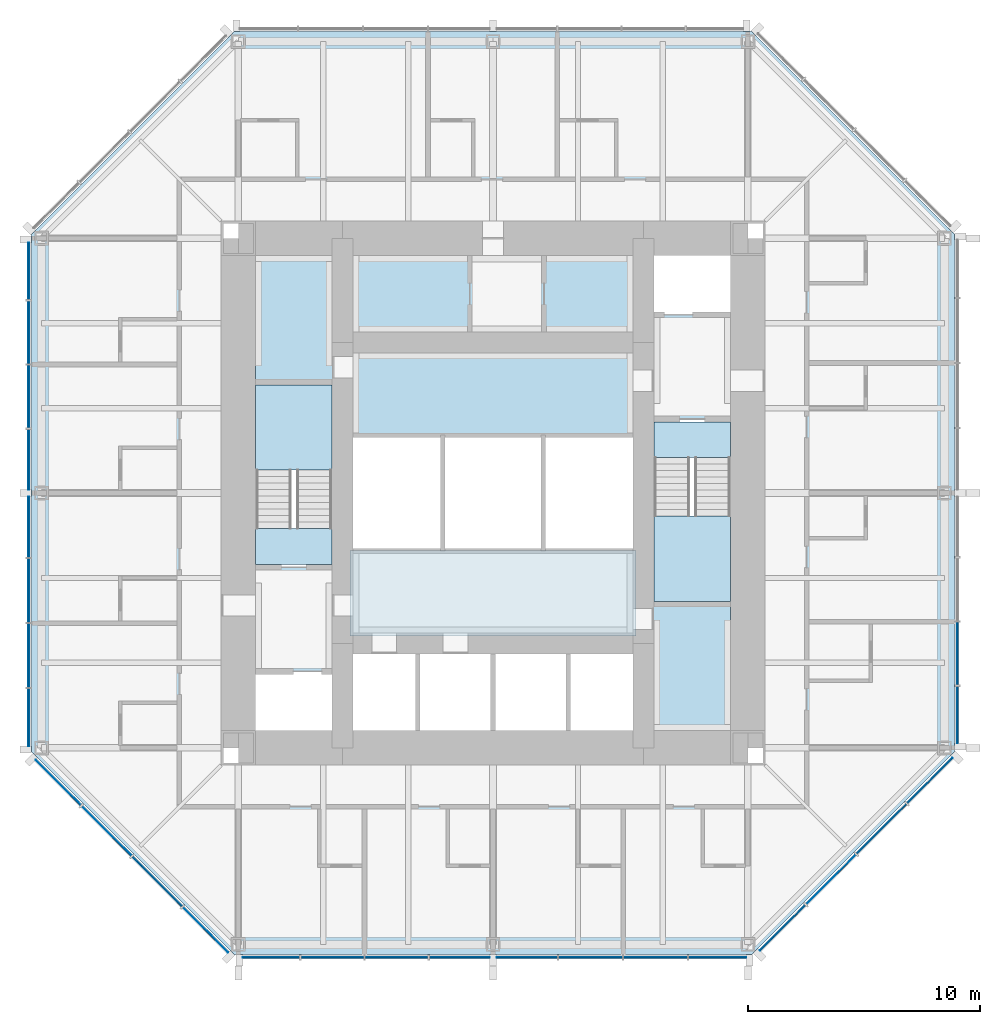
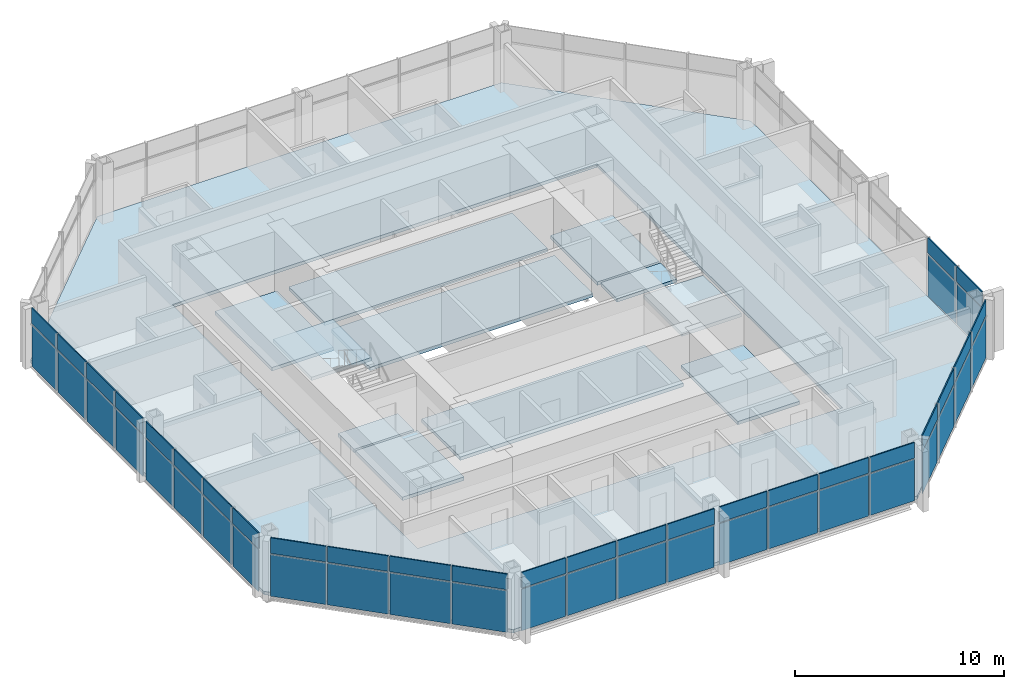
# One storey, part 6 of 12: 52 plates, 12 slabs, 7 elements without a shape of their own.
"""IFC4 building model written with IfcOpenShell, lengths in metres."""

import ifcopenshell
import ifcopenshell.guid

model = None  # the IFC model being written
_history = None  # IfcOwnerHistory: only IFC2X3 demands one
_inside = {}  # id of a spatial element -> (the spatial element, [elements in it])
_under = {}  # id of a project, library or spatial element -> (it, [spatial elements below it])
_declared = {}  # id of a project -> (the project, [libraries it declares])
_typed = {}  # id of a type object -> (the type object, [elements of that type])
_made_of = {}  # id of a material, layer set ... -> (it, [elements and type objects made of it])


def new_model(schema):
    """Start an empty IFC model of exactly this schema.

    Asked for "IFC4X3", IfcOpenShell would pick the latest addendum, in which some entities
    have other attributes; the version numbers below select the first issue.
    IFC2X3 requires an IfcOwnerHistory on every rooted entity: one is made here for all.
    """
    global model, _history
    if schema == "IFC4X3":
        model = ifcopenshell.file(schema_version=(4, 3, 0, 0))
    else:
        model = ifcopenshell.file(schema=schema)
    _inside.clear()
    _under.clear()
    _declared.clear()
    _typed.clear()
    _made_of.clear()
    _history = None
    if model.schema == "IFC2X3":
        org = make("IfcOrganization", Name="unknown")
        user = make(
            "IfcPersonAndOrganization",
            ThePerson=make("IfcPerson", FamilyName="unknown"),
            TheOrganization=org,
        )
        app = make(
            "IfcApplication",
            ApplicationDeveloper=org,
            Version="unknown",
            ApplicationFullName="unknown",
            ApplicationIdentifier="unknown",
        )
        _history = make(
            "IfcOwnerHistory",
            OwningUser=user,
            OwningApplication=app,
            ChangeAction="ADDED",
            CreationDate=0,
        )
    return model


def make(cls, **values):
    """One entity of the class cls with the attributes given. An attribute that is None is left unset."""
    return model.create_entity(
        cls, **{name: value for name, value in values.items() if value is not None}
    )


def rooted(cls, **values):
    """An entity with a GlobalId (a new one), such as an element, a storey or a relation."""
    return make(cls, GlobalId=ifcopenshell.guid.new(), OwnerHistory=_history, **values)


def si_unit(unit_type, name, prefix=None):
    """IfcSIUnit, for example si_unit("LENGTHUNIT", "METRE", prefix="MILLI")."""
    return make("IfcSIUnit", UnitType=unit_type, Prefix=prefix, Name=name)


def assignment(units):
    """IfcUnitAssignment: the units of a project."""
    return None if units is None else make("IfcUnitAssignment", Units=units)


def point(xyz):
    """IfcCartesianPoint."""
    return None if xyz is None else make("IfcCartesianPoint", Coordinates=xyz)


def direction(xyz):
    """IfcDirection."""
    return None if xyz is None else make("IfcDirection", DirectionRatios=xyz)


def frame(location, z_axis=None, x_axis=None):
    """IfcAxis2Placement3D, a coordinate frame: its origin and axes. An axis left out is left unset."""
    return make(
        "IfcAxis2Placement3D",
        Location=point(location),
        Axis=direction(z_axis),
        RefDirection=direction(x_axis),
    )


def frame_2d(location, x_axis=None):
    """IfcAxis2Placement2D, a coordinate frame in the plane: its origin and x axis."""
    return make(
        "IfcAxis2Placement2D", Location=point(location), RefDirection=direction(x_axis)
    )


def origin():
    """The frame at (0, 0, 0) with its axes left unset."""
    return frame((0.0, 0.0, 0.0))


def origin_2d():
    """The frame at (0, 0) in the plane with its x axis left unset."""
    return frame_2d((0.0, 0.0))


def place(relative_to, where):
    """IfcLocalPlacement: puts the frame where relative to a parent placement (None: the world)."""
    return make(
        "IfcLocalPlacement", PlacementRelTo=relative_to, RelativePlacement=where
    )


def context(
    kind, dimensions, precision=None, world=None, true_north=None, identifier=None
):
    """IfcGeometricRepresentationContext, for example the 3D "Model" context."""
    return make(
        "IfcGeometricRepresentationContext",
        ContextIdentifier=identifier,
        ContextType=kind,
        CoordinateSpaceDimension=dimensions,
        Precision=precision,
        WorldCoordinateSystem=world,
        TrueNorth=true_north,
    )


def subcontext(parent, identifier, kind, view, scale=None):
    """IfcGeometricRepresentationSubContext, for example "Body" below "Model"."""
    return make(
        "IfcGeometricRepresentationSubContext",
        ContextIdentifier=identifier,
        ContextType=kind,
        ParentContext=parent,
        TargetScale=scale,
        TargetView=view,
    )


def project(units=None, contexts=None):
    """IfcProject with its units and contexts."""
    return rooted(
        "IfcProject",
        Name="project",
        RepresentationContexts=contexts,
        UnitsInContext=assignment(units),
    )


def spatial(cls, under=None, at=None, **own):
    """A site, building, storey or space (cls), placed at a placement, below another one or the project."""
    s = rooted(cls, ObjectPlacement=at, **own)
    if under is not None:
        _under.setdefault(under.id(), (under, []))[1].append(s)
    return s


def polyline(points):
    """IfcPolyline through the points."""
    return make("IfcPolyline", Points=[point(p) for p in points])


def profile(cls, at=None, kind="AREA", **sizes):
    """A parametric profile (cls). Its sizes go by their IFC names, for example OverallWidth=200.0."""
    return make(cls, ProfileType=kind, Position=at, **sizes)


def rectangle(**sizes):
    """IfcRectangleProfileDef."""
    return profile("IfcRectangleProfileDef", **sizes)


def outline(outer, holes=None, kind="AREA"):
    """IfcArbitraryClosedProfileDef: a profile drawn as a closed curve; with holes, ...WithVoids."""
    if holes is None:
        return make("IfcArbitraryClosedProfileDef", ProfileType=kind, OuterCurve=outer)
    return make(
        "IfcArbitraryProfileDefWithVoids",
        ProfileType=kind,
        OuterCurve=outer,
        InnerCurves=holes,
    )


def extrude(swept, where, along, depth):
    """IfcExtrudedAreaSolid: the profile swept, set in the frame where, extruded along a direction by depth."""
    return make(
        "IfcExtrudedAreaSolid",
        SweptArea=swept,
        Position=where,
        ExtrudedDirection=direction(along),
        Depth=depth,
    )


def shape(context_of_items, identifier, shape_type, items):
    """IfcShapeRepresentation: the items that make up one representation, for example the "Body"."""
    return make(
        "IfcShapeRepresentation",
        ContextOfItems=context_of_items,
        RepresentationIdentifier=identifier,
        RepresentationType=shape_type,
        Items=items,
    )


def material(Name=None, Category=None):
    """IfcMaterial."""
    return make("IfcMaterial", Name=Name, Category=Category)


def layer(
    of_material, thickness, ventilated=None, Name=None, Category=None, Priority=None
):
    """IfcMaterialLayer: one layer of a wall or slab, of a material (None: an air gap)."""
    return make(
        "IfcMaterialLayer",
        Material=of_material,
        LayerThickness=thickness,
        IsVentilated=ventilated,
        Name=Name,
        Category=Category,
        Priority=Priority,
    )


def layer_set(layers, Name=None):
    """IfcMaterialLayerSet."""
    return make("IfcMaterialLayerSet", MaterialLayers=layers, LayerSetName=Name)


def made_of(thing, what):
    """Note that an element or type object is made of a material, layer set ...; save() writes the relation."""
    if what is not None:
        _made_of.setdefault(what.id(), (what, []))[1].append(thing)
    return thing


def type_object(cls, material=None, **own):
    """A type object (cls), such as IfcWallType, which elements share."""
    return made_of(rooted(cls, **own), material)


def element(
    cls,
    number,
    at=None,
    inside=None,
    cuts=None,
    type_object=None,
    material=None,
    context=None,
    identifier="Body",
    shape_type=None,
    held_by="IfcProductDefinitionShape",
    body=None,
    shapes=None,
    **own,
):
    """One element of the class cls, such as IfcWall. Its Tag is "e" and its number.

    at: its placement. inside: the storey or other place that contains it. cuts: it is an
    opening in that element (IfcRelVoidsElement). A single representation is given by context,
    identifier, shape_type and body (its items); several are given by shapes. held_by: the class
    of the entity that holds the representations. save() writes the other relations.
    """
    e = rooted(cls, Tag="e%d" % number, ObjectPlacement=at, **own)
    if body is not None:
        shapes = [shape(context, identifier, shape_type, body)]
    if shapes is not None:
        e.Representation = make(held_by, Representations=shapes)
    if inside is not None:
        _inside.setdefault(inside.id(), (inside, []))[1].append(e)
    if cuts is not None:
        rooted(
            "IfcRelVoidsElement", RelatingBuildingElement=cuts, RelatedOpeningElement=e
        )
    if type_object is not None:
        _typed.setdefault(type_object.id(), (type_object, []))[1].append(e)
    return made_of(e, material)


def aggregate(whole, parts):
    """IfcRelAggregates: a whole, such as a stair, and the parts it consists of."""
    return rooted("IfcRelAggregates", RelatingObject=whole, RelatedObjects=parts)


def save(model, path):
    """Write the relations noted so far, then the file.

    IfcRelAggregates (storeys below a building ...), IfcRelContainedInSpatialStructure (elements
    in a storey), IfcRelDefinesByType, IfcRelAssociatesMaterial and IfcRelDeclares: one each for
    every whole, place, type object, material and project.
    """
    for whole, parts in _under.values():
        aggregate(whole, parts)
    for where, things in _inside.values():
        rooted(
            "IfcRelContainedInSpatialStructure",
            RelatedElements=things,
            RelatingStructure=where,
        )
    for kind, things in _typed.values():
        rooted("IfcRelDefinesByType", RelatedObjects=things, RelatingType=kind)
    for what, things in _made_of.values():
        rooted("IfcRelAssociatesMaterial", RelatedObjects=things, RelatingMaterial=what)
    for by, libraries in _declared.values():
        rooted("IfcRelDeclares", RelatingContext=by, RelatedDefinitions=libraries)
    model.write(path)


model = new_model("IFC4")

# Units and contexts
model_context = context("Model", 3, precision=1e-05, world=origin(), true_north=direction((0.0, 1.0)))
body_context = subcontext(model_context, "Body", "Model", "MODEL_VIEW")
ifc_project = project(units=[si_unit("LENGTHUNIT", "METRE"), si_unit("AREAUNIT", "SQUARE_METRE"), si_unit("VOLUMEUNIT", "CUBIC_METRE"), si_unit("PLANEANGLEUNIT", "RADIAN"), si_unit("MASSUNIT", "GRAM", prefix="KILO")], contexts=[model_context])

# Site, building, storey
site_placement = place(None, origin())
site = spatial("IfcSite", under=ifc_project, at=site_placement, CompositionType="ELEMENT")
building_placement = place(site_placement, origin())
building = spatial("IfcBuilding", under=site, at=building_placement, Name="Trevanion Tower", CompositionType="ELEMENT")
storey_placement = place(building_placement, frame((0.0, 0.0, 201.199951171875)))
storey = spatial("IfcBuildingStorey", under=building, at=storey_placement, Name="L47", CompositionType="ELEMENT", Elevation=201.199951171875)

# Curtain wall, plates
ifc_material_1 = material(Name="Aluminium and glass", Category="aluminium")
curtain_wall_type = type_object("IfcCurtainWallType", Name="CW3 curtain wall", PredefinedType="USERDEFINED", material=ifc_material_1)
curtain_wall_1_placement = place(storey_placement, origin())
curtain_wall_1 = element("IfcCurtainWall", 1, at=curtain_wall_1_placement, inside=storey, type_object=curtain_wall_type, Name="CW3 L47 0", ObjectType="UNITISED CURTAIN WALL", PredefinedType="USERDEFINED")
ifc_material_2 = material(Name="Aluminium spandrel panel", Category="aluminium")
ifc_layer_1 = layer(ifc_material_2, 0.06005859375)
ifc_layer_set_1 = layer_set([ifc_layer_1], Name="CW3 spandrel panel")
plate_type_1 = type_object("IfcPlateType", Name="CW3 spandrel panel", PredefinedType="CURTAIN_PANEL", material=ifc_layer_set_1)
plate_1_placement = place(storey_placement, frame((20.050048828125, -9.579345703125, 2.3974609375), z_axis=(0.0, 0.0, 1.0), x_axis=(0.0, 1.0, 0.0)))
plate_1 = element("IfcPlate", 2, at=plate_1_placement, type_object=plate_type_1, Name="CW3 panel 1.2", PredefinedType="CURTAIN_PANEL", context=body_context, shape_type="SweptSolid", body=[
    extrude(rectangle(XDim=2.43701171875, YDim=0.06005859375, at=origin_2d()), origin(), (0.0, 0.0, 1.0), 0.91259765625),
])
plate_2_placement = place(storey_placement, frame((20.050048828125, -6.93603515625, 2.3974609375), z_axis=(0.0, 0.0, 1.0), x_axis=(0.0, 1.0, 0.0)))
plate_2 = element("IfcPlate", 3, at=plate_2_placement, type_object=plate_type_1, Name="CW3 panel 2.2", PredefinedType="CURTAIN_PANEL", context=body_context, shape_type="SweptSolid", body=[
    extrude(rectangle(XDim=2.699462890625, YDim=0.06005859375, at=origin_2d()), origin(), (0.0, 0.0, 1.0), 0.91259765625),
])

curtain_wall_2_placement = place(storey_placement, origin())
curtain_wall_2 = element("IfcCurtainWall", 4, at=curtain_wall_2_placement, inside=storey, type_object=curtain_wall_type, Name="CW3 L47 4", ObjectType="UNITISED CURTAIN WALL", PredefinedType="USERDEFINED")
plate_3_placement = place(storey_placement, frame((-20.050048828125, 9.579345703125, 2.3974609375), z_axis=(0.0, 0.0, 1.0), x_axis=(0.0, -1.0, 0.0)))
plate_3 = element("IfcPlate", 5, at=plate_3_placement, type_object=plate_type_1, Name="CW3 panel 1.2", PredefinedType="CURTAIN_PANEL", context=body_context, shape_type="SweptSolid", body=[
    extrude(rectangle(XDim=2.43701171875, YDim=0.06005859375, at=origin_2d()), origin(), (0.0, 0.0, 1.0), 0.91259765625),
])
plate_4_placement = place(storey_placement, frame((-20.050048828125, 6.93603515625, 2.3974609375), z_axis=(0.0, 0.0, 1.0), x_axis=(0.0, -1.0, 0.0)))
plate_4 = element("IfcPlate", 6, at=plate_4_placement, type_object=plate_type_1, Name="CW3 panel 2.2", PredefinedType="CURTAIN_PANEL", context=body_context, shape_type="SweptSolid", body=[
    extrude(rectangle(XDim=2.699462890625, YDim=0.06005859375, at=origin_2d()), origin(), (0.0, 0.0, 1.0), 0.91259765625),
])
plate_5_placement = place(storey_placement, frame((-20.050048828125, 4.16162109375, 2.3974609375), z_axis=(0.0, 0.0, 1.0), x_axis=(0.0, -1.0, 0.0)))
plate_5 = element("IfcPlate", 7, at=plate_5_placement, type_object=plate_type_1, Name="CW3 panel 3.2", PredefinedType="CURTAIN_PANEL", context=body_context, shape_type="SweptSolid", body=[
    extrude(rectangle(XDim=2.699462890625, YDim=0.06005859375, at=origin_2d()), origin(), (0.0, 0.0, 1.0), 0.91259765625),
])
plate_6_placement = place(storey_placement, frame((-20.050048828125, 1.443603515625, 2.3974609375), z_axis=(0.0, 0.0, 1.0), x_axis=(0.0, -1.0, 0.0)))
plate_6 = element("IfcPlate", 8, at=plate_6_placement, type_object=plate_type_1, Name="CW3 panel 4.2", PredefinedType="CURTAIN_PANEL", context=body_context, shape_type="SweptSolid", body=[
    extrude(rectangle(XDim=2.5869140625, YDim=0.06005859375, at=origin_2d()), origin(), (0.0, 0.0, 1.0), 0.91259765625),
])
plate_7_placement = place(storey_placement, frame((-20.050048828125, -1.459716796875, 2.3974609375), z_axis=(0.0, 0.0, 1.0), x_axis=(0.0, -1.0, 0.0)))
plate_7 = element("IfcPlate", 9, at=plate_7_placement, type_object=plate_type_1, Name="CW3 panel 5.2", PredefinedType="CURTAIN_PANEL", context=body_context, shape_type="SweptSolid", body=[
    extrude(rectangle(XDim=2.619384765625, YDim=0.06005859375, at=origin_2d()), origin(), (0.0, 0.0, 1.0), 0.91259765625),
])
plate_8_placement = place(storey_placement, frame((-20.050048828125, -4.21044921875, 2.3974609375), z_axis=(0.0, 0.0, 1.0), x_axis=(0.0, -1.0, 0.0)))
plate_8 = element("IfcPlate", 10, at=plate_8_placement, type_object=plate_type_1, Name="CW3 panel 6.2", PredefinedType="CURTAIN_PANEL", context=body_context, shape_type="SweptSolid", body=[
    extrude(rectangle(XDim=2.73193359375, YDim=0.06005859375, at=origin_2d()), origin(), (0.0, 0.0, 1.0), 0.91259765625),
])
plate_9_placement = place(storey_placement, frame((-20.050048828125, -7.017333984375, 2.3974609375), z_axis=(0.0, 0.0, 1.0), x_axis=(0.0, -1.0, 0.0)))
plate_9 = element("IfcPlate", 11, at=plate_9_placement, type_object=plate_type_1, Name="CW3 panel 7.2", PredefinedType="CURTAIN_PANEL", context=body_context, shape_type="SweptSolid", body=[
    extrude(rectangle(XDim=2.73193359375, YDim=0.06005859375, at=origin_2d()), origin(), (0.0, 0.0, 1.0), 0.91259765625),
])
plate_10_placement = place(storey_placement, frame((-20.050048828125, -9.693115234375, 2.3974609375), z_axis=(0.0, 0.0, 1.0), x_axis=(0.0, -1.0, 0.0)))
plate_10 = element("IfcPlate", 12, at=plate_10_placement, type_object=plate_type_1, Name="CW3 panel 8.2", PredefinedType="CURTAIN_PANEL", context=body_context, shape_type="SweptSolid", body=[
    extrude(rectangle(XDim=2.469482421875, YDim=0.06005859375, at=origin_2d()), origin(), (0.0, 0.0, 1.0), 0.91259765625),
])

curtain_wall_3_placement = place(storey_placement, origin())
curtain_wall_3 = element("IfcCurtainWall", 13, at=curtain_wall_3_placement, inside=storey, type_object=curtain_wall_type, Name="CW3 L47 5", ObjectType="UNITISED CURTAIN WALL", PredefinedType="USERDEFINED")
plate_11_placement = place(storey_placement, frame((-18.77392578125, -12.50390625, 2.3974609375), z_axis=(0.0, 0.0, 1.0), x_axis=(0.707106781187, -0.707106781187, 0.0)))
plate_11 = element("IfcPlate", 14, at=plate_11_placement, type_object=plate_type_1, Name="CW3 panel 1.2", PredefinedType="CURTAIN_PANEL", context=body_context, shape_type="SweptSolid", body=[
    extrude(rectangle(XDim=2.7490234375, YDim=0.06005859375, at=origin_2d()), origin(), (0.0, 0.0, 1.0), 0.91259765625),
])
plate_12_placement = place(storey_placement, frame((-16.68408203125, -14.593505859375, 2.3974609375), z_axis=(0.0, 0.0, 1.0), x_axis=(0.707106781187, -0.707106781187, 0.0)))
plate_12 = element("IfcPlate", 15, at=plate_12_placement, type_object=plate_type_1, Name="CW3 panel 2.2", PredefinedType="CURTAIN_PANEL", context=body_context, shape_type="SweptSolid", body=[
    extrude(rectangle(XDim=3.01171875, YDim=0.06005859375, at=origin_2d()), origin(), (0.0, 0.0, 1.0), 0.91259765625),
])
plate_13_placement = place(storey_placement, frame((-14.501708984375, -16.776123046875, 2.3974609375), z_axis=(0.0, 0.0, 1.0), x_axis=(0.707106781187, -0.707106781187, 0.0)))
plate_13 = element("IfcPlate", 16, at=plate_13_placement, type_object=plate_type_1, Name="CW3 panel 3.2", PredefinedType="CURTAIN_PANEL", context=body_context, shape_type="SweptSolid", body=[
    extrude(rectangle(XDim=3.01171875, YDim=0.06005859375, at=origin_2d()), origin(), (0.0, 0.0, 1.0), 0.91259765625),
])
plate_14_placement = place(storey_placement, frame((-12.411865234375, -18.865966796875, 2.3974609375), z_axis=(0.0, 0.0, 1.0), x_axis=(0.707106781187, -0.707106781187, 0.0)))
plate_14 = element("IfcPlate", 17, at=plate_14_placement, type_object=plate_type_1, Name="CW3 panel 4.2", PredefinedType="CURTAIN_PANEL", context=body_context, shape_type="SweptSolid", body=[
    extrude(rectangle(XDim=2.7490234375, YDim=0.06005859375, at=origin_2d()), origin(), (0.0, 0.0, 1.0), 0.91259765625),
])

curtain_wall_4_placement = place(storey_placement, origin())
curtain_wall_4 = element("IfcCurtainWall", 18, at=curtain_wall_4_placement, inside=storey, type_object=curtain_wall_type, Name="CW3 L47 6", ObjectType="UNITISED CURTAIN WALL", PredefinedType="USERDEFINED")
plate_15_placement = place(storey_placement, frame((-9.579345703125, -20.050048828125, 2.3974609375), z_axis=(0.0, 0.0, 1.0), x_axis=(1.0, 0.0, 0.0)))
plate_15 = element("IfcPlate", 19, at=plate_15_placement, type_object=plate_type_1, Name="CW3 panel 1.2", PredefinedType="CURTAIN_PANEL", context=body_context, shape_type="SweptSolid", body=[
    extrude(rectangle(XDim=2.43701171875, YDim=0.06005859375, at=origin_2d()), origin(), (0.0, 0.0, 1.0), 0.91259765625),
])
plate_16_placement = place(storey_placement, frame((-6.93603515625, -20.050048828125, 2.3974609375), z_axis=(0.0, 0.0, 1.0), x_axis=(1.0, 0.0, 0.0)))
plate_16 = element("IfcPlate", 20, at=plate_16_placement, type_object=plate_type_1, Name="CW3 panel 2.2", PredefinedType="CURTAIN_PANEL", context=body_context, shape_type="SweptSolid", body=[
    extrude(rectangle(XDim=2.699462890625, YDim=0.06005859375, at=origin_2d()), origin(), (0.0, 0.0, 1.0), 0.91259765625),
])
plate_17_placement = place(storey_placement, frame((-4.16162109375, -20.050048828125, 2.3974609375), z_axis=(0.0, 0.0, 1.0), x_axis=(1.0, 0.0, 0.0)))
plate_17 = element("IfcPlate", 21, at=plate_17_placement, type_object=plate_type_1, Name="CW3 panel 3.2", PredefinedType="CURTAIN_PANEL", context=body_context, shape_type="SweptSolid", body=[
    extrude(rectangle(XDim=2.699462890625, YDim=0.06005859375, at=origin_2d()), origin(), (0.0, 0.0, 1.0), 0.91259765625),
])
plate_18_placement = place(storey_placement, frame((-1.443603515625, -20.050048828125, 2.3974609375), z_axis=(0.0, 0.0, 1.0), x_axis=(1.0, 0.0, 0.0)))
plate_18 = element("IfcPlate", 22, at=plate_18_placement, type_object=plate_type_1, Name="CW3 panel 4.2", PredefinedType="CURTAIN_PANEL", context=body_context, shape_type="SweptSolid", body=[
    extrude(rectangle(XDim=2.5869140625, YDim=0.06005859375, at=origin_2d()), origin(), (0.0, 0.0, 1.0), 0.91259765625),
])
plate_19_placement = place(storey_placement, frame((1.459716796875, -20.050048828125, 2.3974609375), z_axis=(0.0, 0.0, 1.0), x_axis=(1.0, 0.0, 0.0)))
plate_19 = element("IfcPlate", 23, at=plate_19_placement, type_object=plate_type_1, Name="CW3 panel 5.2", PredefinedType="CURTAIN_PANEL", context=body_context, shape_type="SweptSolid", body=[
    extrude(rectangle(XDim=2.619384765625, YDim=0.06005859375, at=origin_2d()), origin(), (0.0, 0.0, 1.0), 0.91259765625),
])
plate_20_placement = place(storey_placement, frame((4.21044921875, -20.050048828125, 2.3974609375), z_axis=(0.0, 0.0, 1.0), x_axis=(1.0, 0.0, 0.0)))
plate_20 = element("IfcPlate", 24, at=plate_20_placement, type_object=plate_type_1, Name="CW3 panel 6.2", PredefinedType="CURTAIN_PANEL", context=body_context, shape_type="SweptSolid", body=[
    extrude(rectangle(XDim=2.73193359375, YDim=0.06005859375, at=origin_2d()), origin(), (0.0, 0.0, 1.0), 0.91259765625),
])
plate_21_placement = place(storey_placement, frame((7.017333984375, -20.050048828125, 2.3974609375), z_axis=(0.0, 0.0, 1.0), x_axis=(1.0, 0.0, 0.0)))
plate_21 = element("IfcPlate", 25, at=plate_21_placement, type_object=plate_type_1, Name="CW3 panel 7.2", PredefinedType="CURTAIN_PANEL", context=body_context, shape_type="SweptSolid", body=[
    extrude(rectangle(XDim=2.73193359375, YDim=0.06005859375, at=origin_2d()), origin(), (0.0, 0.0, 1.0), 0.91259765625),
])
plate_22_placement = place(storey_placement, frame((9.693115234375, -20.050048828125, 2.3974609375), z_axis=(0.0, 0.0, 1.0), x_axis=(1.0, 0.0, 0.0)))
plate_22 = element("IfcPlate", 26, at=plate_22_placement, type_object=plate_type_1, Name="CW3 panel 8.2", PredefinedType="CURTAIN_PANEL", context=body_context, shape_type="SweptSolid", body=[
    extrude(rectangle(XDim=2.469482421875, YDim=0.06005859375, at=origin_2d()), origin(), (0.0, 0.0, 1.0), 0.91259765625),
])

curtain_wall_5_placement = place(storey_placement, origin())
curtain_wall_5 = element("IfcCurtainWall", 27, at=curtain_wall_5_placement, inside=storey, type_object=curtain_wall_type, Name="CW3 L47 7", ObjectType="UNITISED CURTAIN WALL", PredefinedType="USERDEFINED")
plate_23_placement = place(storey_placement, frame((12.50390625, -18.77392578125, 2.3974609375), z_axis=(0.0, 0.0, 1.0), x_axis=(0.707106781187, 0.707106781187, 0.0)))
plate_23 = element("IfcPlate", 28, at=plate_23_placement, type_object=plate_type_1, Name="CW3 panel 1.2", PredefinedType="CURTAIN_PANEL", context=body_context, shape_type="SweptSolid", body=[
    extrude(rectangle(XDim=2.7490234375, YDim=0.06005859375, at=origin_2d()), origin(), (0.0, 0.0, 1.0), 0.91259765625),
])
plate_24_placement = place(storey_placement, frame((14.593505859375, -16.68408203125, 2.3974609375), z_axis=(0.0, 0.0, 1.0), x_axis=(0.707106781187, 0.707106781187, 0.0)))
plate_24 = element("IfcPlate", 29, at=plate_24_placement, type_object=plate_type_1, Name="CW3 panel 2.2", PredefinedType="CURTAIN_PANEL", context=body_context, shape_type="SweptSolid", body=[
    extrude(rectangle(XDim=3.01171875, YDim=0.06005859375, at=origin_2d()), origin(), (0.0, 0.0, 1.0), 0.91259765625),
])
plate_25_placement = place(storey_placement, frame((16.776123046875, -14.501708984375, 2.3974609375), z_axis=(0.0, 0.0, 1.0), x_axis=(0.707106781187, 0.707106781187, 0.0)))
plate_25 = element("IfcPlate", 30, at=plate_25_placement, type_object=plate_type_1, Name="CW3 panel 3.2", PredefinedType="CURTAIN_PANEL", context=body_context, shape_type="SweptSolid", body=[
    extrude(rectangle(XDim=3.01171875, YDim=0.06005859375, at=origin_2d()), origin(), (0.0, 0.0, 1.0), 0.91259765625),
])
plate_26_placement = place(storey_placement, frame((18.865966796875, -12.411865234375, 2.3974609375), z_axis=(0.0, 0.0, 1.0), x_axis=(0.707106781187, 0.707106781187, 0.0)))
plate_26 = element("IfcPlate", 31, at=plate_26_placement, type_object=plate_type_1, Name="CW3 panel 4.2", PredefinedType="CURTAIN_PANEL", context=body_context, shape_type="SweptSolid", body=[
    extrude(rectangle(XDim=2.7490234375, YDim=0.06005859375, at=origin_2d()), origin(), (0.0, 0.0, 1.0), 0.91259765625),
])

# Plate
ifc_material_3 = material(Name="Insulating glass unit", Category="glass")
ifc_layer_2 = layer(ifc_material_3, 0.028076171875)
ifc_layer_set_2 = layer_set([ifc_layer_2], Name="CW3 vision panel")
plate_type_2 = type_object("IfcPlateType", Name="CW3 vision panel", PredefinedType="CURTAIN_PANEL", material=ifc_layer_set_2)
plate_27_placement = place(storey_placement, frame((20.050048828125, -9.579345703125, -0.114990234375), z_axis=(0.0, 0.0, 1.0), x_axis=(0.0, 1.0, 0.0)))
plate_27 = element("IfcPlate", 32, at=plate_27_placement, type_object=plate_type_2, Name="CW3 panel 1.1", PredefinedType="CURTAIN_PANEL", context=body_context, shape_type="SweptSolid", body=[
    extrude(rectangle(XDim=2.43701171875, YDim=0.028076171875, at=origin_2d()), origin(), (0.0, 0.0, 1.0), 2.4375),
])

plate_28_placement = place(storey_placement, frame((20.050048828125, -6.93603515625, -0.114990234375), z_axis=(0.0, 0.0, 1.0), x_axis=(0.0, 1.0, 0.0)))
plate_28 = element("IfcPlate", 33, at=plate_28_placement, type_object=plate_type_2, Name="CW3 panel 2.1", PredefinedType="CURTAIN_PANEL", context=body_context, shape_type="SweptSolid", body=[
    extrude(rectangle(XDim=2.699462890625, YDim=0.028076171875, at=origin_2d()), origin(), (0.0, 0.0, 1.0), 2.4375),
])

aggregate(curtain_wall_1, [plate_27, plate_1, plate_28, plate_2])

plate_29_placement = place(storey_placement, frame((-20.050048828125, 9.579345703125, -0.114990234375), z_axis=(0.0, 0.0, 1.0), x_axis=(0.0, -1.0, 0.0)))
plate_29 = element("IfcPlate", 34, at=plate_29_placement, type_object=plate_type_2, Name="CW3 panel 1.1", PredefinedType="CURTAIN_PANEL", context=body_context, shape_type="SweptSolid", body=[
    extrude(rectangle(XDim=2.43701171875, YDim=0.028076171875, at=origin_2d()), origin(), (0.0, 0.0, 1.0), 2.4375),
])

plate_30_placement = place(storey_placement, frame((-20.050048828125, 6.93603515625, -0.114990234375), z_axis=(0.0, 0.0, 1.0), x_axis=(0.0, -1.0, 0.0)))
plate_30 = element("IfcPlate", 35, at=plate_30_placement, type_object=plate_type_2, Name="CW3 panel 2.1", PredefinedType="CURTAIN_PANEL", context=body_context, shape_type="SweptSolid", body=[
    extrude(rectangle(XDim=2.699462890625, YDim=0.028076171875, at=origin_2d()), origin(), (0.0, 0.0, 1.0), 2.4375),
])

plate_31_placement = place(storey_placement, frame((-20.050048828125, 4.16162109375, -0.114990234375), z_axis=(0.0, 0.0, 1.0), x_axis=(0.0, -1.0, 0.0)))
plate_31 = element("IfcPlate", 36, at=plate_31_placement, type_object=plate_type_2, Name="CW3 panel 3.1", PredefinedType="CURTAIN_PANEL", context=body_context, shape_type="SweptSolid", body=[
    extrude(rectangle(XDim=2.699462890625, YDim=0.028076171875, at=origin_2d()), origin(), (0.0, 0.0, 1.0), 2.4375),
])

plate_32_placement = place(storey_placement, frame((-20.050048828125, 1.443603515625, -0.114990234375), z_axis=(0.0, 0.0, 1.0), x_axis=(0.0, -1.0, 0.0)))
plate_32 = element("IfcPlate", 37, at=plate_32_placement, type_object=plate_type_2, Name="CW3 panel 4.1", PredefinedType="CURTAIN_PANEL", context=body_context, shape_type="SweptSolid", body=[
    extrude(rectangle(XDim=2.5869140625, YDim=0.028076171875, at=origin_2d()), origin(), (0.0, 0.0, 1.0), 2.4375),
])

plate_33_placement = place(storey_placement, frame((-20.050048828125, -1.459716796875, -0.114990234375), z_axis=(0.0, 0.0, 1.0), x_axis=(0.0, -1.0, 0.0)))
plate_33 = element("IfcPlate", 38, at=plate_33_placement, type_object=plate_type_2, Name="CW3 panel 5.1", PredefinedType="CURTAIN_PANEL", context=body_context, shape_type="SweptSolid", body=[
    extrude(rectangle(XDim=2.619384765625, YDim=0.028076171875, at=origin_2d()), origin(), (0.0, 0.0, 1.0), 2.4375),
])

plate_34_placement = place(storey_placement, frame((-20.050048828125, -4.21044921875, -0.114990234375), z_axis=(0.0, 0.0, 1.0), x_axis=(0.0, -1.0, 0.0)))
plate_34 = element("IfcPlate", 39, at=plate_34_placement, type_object=plate_type_2, Name="CW3 panel 6.1", PredefinedType="CURTAIN_PANEL", context=body_context, shape_type="SweptSolid", body=[
    extrude(rectangle(XDim=2.73193359375, YDim=0.028076171875, at=origin_2d()), origin(), (0.0, 0.0, 1.0), 2.4375),
])

plate_35_placement = place(storey_placement, frame((-20.050048828125, -7.017333984375, -0.114990234375), z_axis=(0.0, 0.0, 1.0), x_axis=(0.0, -1.0, 0.0)))
plate_35 = element("IfcPlate", 40, at=plate_35_placement, type_object=plate_type_2, Name="CW3 panel 7.1", PredefinedType="CURTAIN_PANEL", context=body_context, shape_type="SweptSolid", body=[
    extrude(rectangle(XDim=2.73193359375, YDim=0.028076171875, at=origin_2d()), origin(), (0.0, 0.0, 1.0), 2.4375),
])

plate_36_placement = place(storey_placement, frame((-20.050048828125, -9.693115234375, -0.114990234375), z_axis=(0.0, 0.0, 1.0), x_axis=(0.0, -1.0, 0.0)))
plate_36 = element("IfcPlate", 41, at=plate_36_placement, type_object=plate_type_2, Name="CW3 panel 8.1", PredefinedType="CURTAIN_PANEL", context=body_context, shape_type="SweptSolid", body=[
    extrude(rectangle(XDim=2.469482421875, YDim=0.028076171875, at=origin_2d()), origin(), (0.0, 0.0, 1.0), 2.4375),
])

aggregate(curtain_wall_2, [plate_29, plate_3, plate_30, plate_4, plate_31, plate_5, plate_32, plate_6, plate_33, plate_7, plate_34, plate_8, plate_35, plate_9, plate_36, plate_10])

plate_37_placement = place(storey_placement, frame((-18.77392578125, -12.50390625, -0.114990234375), z_axis=(0.0, 0.0, 1.0), x_axis=(0.707106781187, -0.707106781187, 0.0)))
plate_37 = element("IfcPlate", 42, at=plate_37_placement, type_object=plate_type_2, Name="CW3 panel 1.1", PredefinedType="CURTAIN_PANEL", context=body_context, shape_type="SweptSolid", body=[
    extrude(rectangle(XDim=2.7490234375, YDim=0.028076171875, at=origin_2d()), origin(), (0.0, 0.0, 1.0), 2.4375),
])

plate_38_placement = place(storey_placement, frame((-16.68408203125, -14.593505859375, -0.114990234375), z_axis=(0.0, 0.0, 1.0), x_axis=(0.707106781187, -0.707106781187, 0.0)))
plate_38 = element("IfcPlate", 43, at=plate_38_placement, type_object=plate_type_2, Name="CW3 panel 2.1", PredefinedType="CURTAIN_PANEL", context=body_context, shape_type="SweptSolid", body=[
    extrude(rectangle(XDim=3.01171875, YDim=0.028076171875, at=origin_2d()), origin(), (0.0, 0.0, 1.0), 2.4375),
])

plate_39_placement = place(storey_placement, frame((-14.501708984375, -16.776123046875, -0.114990234375), z_axis=(0.0, 0.0, 1.0), x_axis=(0.707106781187, -0.707106781187, 0.0)))
plate_39 = element("IfcPlate", 44, at=plate_39_placement, type_object=plate_type_2, Name="CW3 panel 3.1", PredefinedType="CURTAIN_PANEL", context=body_context, shape_type="SweptSolid", body=[
    extrude(rectangle(XDim=3.01171875, YDim=0.028076171875, at=origin_2d()), origin(), (0.0, 0.0, 1.0), 2.4375),
])

plate_40_placement = place(storey_placement, frame((-12.411865234375, -18.865966796875, -0.114990234375), z_axis=(0.0, 0.0, 1.0), x_axis=(0.707106781187, -0.707106781187, 0.0)))
plate_40 = element("IfcPlate", 45, at=plate_40_placement, type_object=plate_type_2, Name="CW3 panel 4.1", PredefinedType="CURTAIN_PANEL", context=body_context, shape_type="SweptSolid", body=[
    extrude(rectangle(XDim=2.7490234375, YDim=0.028076171875, at=origin_2d()), origin(), (0.0, 0.0, 1.0), 2.4375),
])

aggregate(curtain_wall_3, [plate_37, plate_11, plate_38, plate_12, plate_39, plate_13, plate_40, plate_14])

plate_41_placement = place(storey_placement, frame((-9.579345703125, -20.050048828125, -0.114990234375), z_axis=(0.0, 0.0, 1.0), x_axis=(1.0, 0.0, 0.0)))
plate_41 = element("IfcPlate", 46, at=plate_41_placement, type_object=plate_type_2, Name="CW3 panel 1.1", PredefinedType="CURTAIN_PANEL", context=body_context, shape_type="SweptSolid", body=[
    extrude(rectangle(XDim=2.43701171875, YDim=0.028076171875, at=origin_2d()), origin(), (0.0, 0.0, 1.0), 2.4375),
])

plate_42_placement = place(storey_placement, frame((-6.93603515625, -20.050048828125, -0.114990234375), z_axis=(0.0, 0.0, 1.0), x_axis=(1.0, 0.0, 0.0)))
plate_42 = element("IfcPlate", 47, at=plate_42_placement, type_object=plate_type_2, Name="CW3 panel 2.1", PredefinedType="CURTAIN_PANEL", context=body_context, shape_type="SweptSolid", body=[
    extrude(rectangle(XDim=2.699462890625, YDim=0.028076171875, at=origin_2d()), origin(), (0.0, 0.0, 1.0), 2.4375),
])

plate_43_placement = place(storey_placement, frame((-4.16162109375, -20.050048828125, -0.114990234375), z_axis=(0.0, 0.0, 1.0), x_axis=(1.0, 0.0, 0.0)))
plate_43 = element("IfcPlate", 48, at=plate_43_placement, type_object=plate_type_2, Name="CW3 panel 3.1", PredefinedType="CURTAIN_PANEL", context=body_context, shape_type="SweptSolid", body=[
    extrude(rectangle(XDim=2.699462890625, YDim=0.028076171875, at=origin_2d()), origin(), (0.0, 0.0, 1.0), 2.4375),
])

plate_44_placement = place(storey_placement, frame((-1.443603515625, -20.050048828125, -0.114990234375), z_axis=(0.0, 0.0, 1.0), x_axis=(1.0, 0.0, 0.0)))
plate_44 = element("IfcPlate", 49, at=plate_44_placement, type_object=plate_type_2, Name="CW3 panel 4.1", PredefinedType="CURTAIN_PANEL", context=body_context, shape_type="SweptSolid", body=[
    extrude(rectangle(XDim=2.5869140625, YDim=0.028076171875, at=origin_2d()), origin(), (0.0, 0.0, 1.0), 2.4375),
])

plate_45_placement = place(storey_placement, frame((1.459716796875, -20.050048828125, -0.114990234375), z_axis=(0.0, 0.0, 1.0), x_axis=(1.0, 0.0, 0.0)))
plate_45 = element("IfcPlate", 50, at=plate_45_placement, type_object=plate_type_2, Name="CW3 panel 5.1", PredefinedType="CURTAIN_PANEL", context=body_context, shape_type="SweptSolid", body=[
    extrude(rectangle(XDim=2.619384765625, YDim=0.028076171875, at=origin_2d()), origin(), (0.0, 0.0, 1.0), 2.4375),
])

plate_46_placement = place(storey_placement, frame((4.21044921875, -20.050048828125, -0.114990234375), z_axis=(0.0, 0.0, 1.0), x_axis=(1.0, 0.0, 0.0)))
plate_46 = element("IfcPlate", 51, at=plate_46_placement, type_object=plate_type_2, Name="CW3 panel 6.1", PredefinedType="CURTAIN_PANEL", context=body_context, shape_type="SweptSolid", body=[
    extrude(rectangle(XDim=2.73193359375, YDim=0.028076171875, at=origin_2d()), origin(), (0.0, 0.0, 1.0), 2.4375),
])

plate_47_placement = place(storey_placement, frame((7.017333984375, -20.050048828125, -0.114990234375), z_axis=(0.0, 0.0, 1.0), x_axis=(1.0, 0.0, 0.0)))
plate_47 = element("IfcPlate", 52, at=plate_47_placement, type_object=plate_type_2, Name="CW3 panel 7.1", PredefinedType="CURTAIN_PANEL", context=body_context, shape_type="SweptSolid", body=[
    extrude(rectangle(XDim=2.73193359375, YDim=0.028076171875, at=origin_2d()), origin(), (0.0, 0.0, 1.0), 2.4375),
])

plate_48_placement = place(storey_placement, frame((9.693115234375, -20.050048828125, -0.114990234375), z_axis=(0.0, 0.0, 1.0), x_axis=(1.0, 0.0, 0.0)))
plate_48 = element("IfcPlate", 53, at=plate_48_placement, type_object=plate_type_2, Name="CW3 panel 8.1", PredefinedType="CURTAIN_PANEL", context=body_context, shape_type="SweptSolid", body=[
    extrude(rectangle(XDim=2.469482421875, YDim=0.028076171875, at=origin_2d()), origin(), (0.0, 0.0, 1.0), 2.4375),
])

aggregate(curtain_wall_4, [plate_41, plate_15, plate_42, plate_16, plate_43, plate_17, plate_44, plate_18, plate_45, plate_19, plate_46, plate_20, plate_47, plate_21, plate_48, plate_22])

plate_49_placement = place(storey_placement, frame((12.50390625, -18.77392578125, -0.114990234375), z_axis=(0.0, 0.0, 1.0), x_axis=(0.707106781187, 0.707106781187, 0.0)))
plate_49 = element("IfcPlate", 54, at=plate_49_placement, type_object=plate_type_2, Name="CW3 panel 1.1", PredefinedType="CURTAIN_PANEL", context=body_context, shape_type="SweptSolid", body=[
    extrude(rectangle(XDim=2.7490234375, YDim=0.028076171875, at=origin_2d()), origin(), (0.0, 0.0, 1.0), 2.4375),
])

plate_50_placement = place(storey_placement, frame((14.593505859375, -16.68408203125, -0.114990234375), z_axis=(0.0, 0.0, 1.0), x_axis=(0.707106781187, 0.707106781187, 0.0)))
plate_50 = element("IfcPlate", 55, at=plate_50_placement, type_object=plate_type_2, Name="CW3 panel 2.1", PredefinedType="CURTAIN_PANEL", context=body_context, shape_type="SweptSolid", body=[
    extrude(rectangle(XDim=3.01171875, YDim=0.028076171875, at=origin_2d()), origin(), (0.0, 0.0, 1.0), 2.4375),
])

plate_51_placement = place(storey_placement, frame((16.776123046875, -14.501708984375, -0.114990234375), z_axis=(0.0, 0.0, 1.0), x_axis=(0.707106781187, 0.707106781187, 0.0)))
plate_51 = element("IfcPlate", 56, at=plate_51_placement, type_object=plate_type_2, Name="CW3 panel 3.1", PredefinedType="CURTAIN_PANEL", context=body_context, shape_type="SweptSolid", body=[
    extrude(rectangle(XDim=3.01171875, YDim=0.028076171875, at=origin_2d()), origin(), (0.0, 0.0, 1.0), 2.4375),
])

plate_52_placement = place(storey_placement, frame((18.865966796875, -12.411865234375, -0.114990234375), z_axis=(0.0, 0.0, 1.0), x_axis=(0.707106781187, 0.707106781187, 0.0)))
plate_52 = element("IfcPlate", 57, at=plate_52_placement, type_object=plate_type_2, Name="CW3 panel 4.1", PredefinedType="CURTAIN_PANEL", context=body_context, shape_type="SweptSolid", body=[
    extrude(rectangle(XDim=2.7490234375, YDim=0.028076171875, at=origin_2d()), origin(), (0.0, 0.0, 1.0), 2.4375),
])

aggregate(curtain_wall_5, [plate_49, plate_23, plate_50, plate_24, plate_51, plate_25, plate_52, plate_26])

# Slabs
ifc_material_4 = material(Name="Concrete 5,000 psi on composite metal deck", Category="concrete")
ifc_layer_3 = layer(ifc_material_4, 0.18994140625)
ifc_layer_set_3 = layer_set([ifc_layer_3], Name="SL1 composite floor 190")
slab_type_1 = type_object("IfcSlabType", Name="SL1 composite floor 190", PredefinedType="FLOOR", material=ifc_layer_set_3)
slab_1_placement = place(storey_placement, frame((0.0, 0.0, -0.18994140625)))
element("IfcSlab", 58, at=slab_1_placement, inside=storey, type_object=slab_type_1, Name="SL1 L47 floor", PredefinedType="FLOOR", context=body_context, shape_type="SweptSolid", body=[
    extrude(outline(polyline([(19.919921875, -11.174072265625), (19.919921875, 11.174072265625), (11.174072265625, 19.919921875), (-11.174072265625, 19.919921875), (-19.919921875, 11.174072265625), (-19.919921875, -11.174072265625), (-11.174072265625, -19.919921875), (11.174072265625, -19.919921875), (19.919921875, -11.174072265625)]), holes=[polyline([(11.75, -11.75), (11.75, 11.75), (-11.75, 11.75), (-11.75, -11.75), (11.75, -11.75)])]), origin(), (0.0, 0.0, 1.0), 0.18994140625),
])
ifc_material_5 = material(Name="Concrete 5,000 psi", Category="concrete")
ifc_layer_4 = layer(ifc_material_5, 0.199951171875)
ifc_layer_set_4 = layer_set([ifc_layer_4], Name="SL2 core floor 200")
slab_type_2 = type_object("IfcSlabType", Name="SL2 core floor 200", PredefinedType="FLOOR", material=ifc_layer_set_4)
slab_2_placement = place(storey_placement, frame((0.0, 0.0, -0.199951171875)))
element("IfcSlab", 59, at=slab_2_placement, inside=storey, type_object=slab_type_2, Name="SL2 L47 core floor 1", PredefinedType="FLOOR", context=body_context, shape_type="SweptSolid", body=[
    extrude(outline(polyline([(10.25, -4.804931640625), (10.25, -10.25), (6.830078125, -10.25), (6.830078125, -4.804931640625), (10.25, -4.804931640625)])), origin(), (0.0, 0.0, 1.0), 0.199951171875),
])
slab_3_placement = place(storey_placement, frame((0.0, 0.0, -0.199951171875)))
element("IfcSlab", 60, at=slab_3_placement, inside=storey, type_object=slab_type_2, Name="SL2 L47 core floor 2", PredefinedType="FLOOR", context=body_context, shape_type="SweptSolid", body=[
    extrude(outline(polyline([(-6.830078125, -3.205078125), (-6.830078125, -7.695068359375), (-10.25, -7.695068359375), (-10.25, -3.205078125), (-6.830078125, -3.205078125)])), origin(), (0.0, 0.0, 1.0), 0.199951171875),
])
slab_4_placement = place(storey_placement, frame((0.0, 0.0, -0.199951171875)))
element("IfcSlab", 61, at=slab_4_placement, inside=storey, type_object=slab_type_2, Name="SL2 L47 core floor 3", PredefinedType="FLOOR", context=body_context, shape_type="SweptSolid", body=[
    extrude(outline(polyline([(6.169921875, -6.169921875), (-6.169921875, -6.169921875), (-6.169921875, -2.47998046875), (6.169921875, -2.47998046875), (6.169921875, -6.169921875)])), origin(), (0.0, 0.0, 1.0), 0.199951171875),
])
slab_5_placement = place(storey_placement, frame((0.0, 0.0, -0.199951171875)))
element("IfcSlab", 62, at=slab_5_placement, inside=storey, type_object=slab_type_2, Name="SL2 L47 core floor 4", PredefinedType="FLOOR", context=body_context, shape_type="SweptSolid", body=[
    extrude(outline(polyline([(6.169921875, 2.47998046875), (-6.169921875, 2.47998046875), (-6.169921875, 6.169921875), (6.169921875, 6.169921875), (6.169921875, 2.47998046875)])), origin(), (0.0, 0.0, 1.0), 0.199951171875),
])
slab_6_placement = place(storey_placement, frame((0.0, 0.0, -0.199951171875)))
element("IfcSlab", 63, at=slab_6_placement, inside=storey, type_object=slab_type_2, Name="SL2 L47 core floor 5", PredefinedType="FLOOR", context=body_context, shape_type="SweptSolid", body=[
    extrude(outline(polyline([(6.830078125, 3.205078125), (6.830078125, 7.695068359375), (10.25, 7.695068359375), (10.25, 3.205078125), (6.830078125, 3.205078125)])), origin(), (0.0, 0.0, 1.0), 0.199951171875),
])
slab_7_placement = place(storey_placement, frame((0.0, 0.0, -0.199951171875)))
element("IfcSlab", 64, at=slab_7_placement, inside=storey, type_object=slab_type_2, Name="SL2 L47 core floor 6", PredefinedType="FLOOR", context=body_context, shape_type="SweptSolid", body=[
    extrude(outline(polyline([(-6.830078125, 4.804931640625), (-10.25, 4.804931640625), (-10.25, 10.25), (-6.830078125, 10.25), (-6.830078125, 4.804931640625)])), origin(), (0.0, 0.0, 1.0), 0.199951171875),
])
slab_8_placement = place(storey_placement, frame((0.0, 0.0, -0.199951171875)))
element("IfcSlab", 65, at=slab_8_placement, inside=storey, type_object=slab_type_2, Name="SL2 L47 core floor 7", PredefinedType="FLOOR", context=body_context, shape_type="SweptSolid", body=[
    extrude(outline(polyline([(6.169921875, 6.830078125), (-6.169921875, 6.830078125), (-6.169921875, 10.25), (6.169921875, 10.25), (6.169921875, 6.830078125)])), origin(), (0.0, 0.0, 1.0), 0.199951171875),
])

# Stair, slabs
ifc_material_6 = material(Name="Concrete 5,000 psi on steel stringers", Category="concrete")
stair_type = type_object("IfcStairType", Name="ST stair", PredefinedType="HALF_TURN_STAIR", material=ifc_material_6)
stair_1_placement = place(storey_placement, origin())
stair_1 = element("IfcStair", 66, at=stair_1_placement, inside=storey, type_object=stair_type, Name="ST1 L47", PredefinedType="HALF_TURN_STAIR")
ifc_material_7 = material(Name="Concrete 5,000 psi in steel pan", Category="concrete")
ifc_layer_5 = layer(ifc_material_7, 0.199951171875)
ifc_layer_set_5 = layer_set([ifc_layer_5], Name="STL stair landing 200")
slab_type_3 = type_object("IfcSlabType", Name="STL stair landing 200", PredefinedType="LANDING", material=ifc_layer_set_5)
slab_9_placement = place(storey_placement, frame((0.0, 0.0, -0.199951171875)))
slab_9 = element("IfcSlab", 67, at=slab_9_placement, type_object=slab_type_3, Name="ST1 landing 1", PredefinedType="LANDING", context=body_context, shape_type="SweptSolid", body=[
    extrude(outline(polyline([(6.949951171875, 1.52490234375), (10.25, 1.52490234375), (10.25, 3.074951171875), (6.949951171875, 3.074951171875), (6.949951171875, 1.52490234375)])), origin(), (0.0, 0.0, 1.0), 0.199951171875),
])
slab_10_placement = place(storey_placement, frame((0.0, 0.0, 1.550048828125)))
slab_10 = element("IfcSlab", 68, at=slab_10_placement, type_object=slab_type_3, Name="ST1 landing 2", PredefinedType="LANDING", context=body_context, shape_type="SweptSolid", body=[
    extrude(outline(polyline([(6.949951171875, -4.675048828125), (10.25, -4.675048828125), (10.25, -0.9951171875), (6.949951171875, -0.9951171875), (6.949951171875, -4.675048828125)])), origin(), (0.0, 0.0, 1.0), 0.199951171875),
])
aggregate(stair_1, [slab_9, slab_10])

stair_2_placement = place(storey_placement, origin())
stair_2 = element("IfcStair", 69, at=stair_2_placement, inside=storey, type_object=stair_type, Name="ST2 L47", PredefinedType="HALF_TURN_STAIR")
slab_11_placement = place(storey_placement, frame((0.0, 0.0, -0.199951171875)))
slab_11 = element("IfcSlab", 70, at=slab_11_placement, type_object=slab_type_3, Name="ST2 landing 1", PredefinedType="LANDING", context=body_context, shape_type="SweptSolid", body=[
    extrude(outline(polyline([(-6.949951171875, -1.52490234375), (-10.25, -1.52490234375), (-10.25, -3.074951171875), (-6.949951171875, -3.074951171875), (-6.949951171875, -1.52490234375)])), origin(), (0.0, 0.0, 1.0), 0.199951171875),
])
slab_12_placement = place(storey_placement, frame((0.0, 0.0, 1.550048828125)))
slab_12 = element("IfcSlab", 71, at=slab_12_placement, type_object=slab_type_3, Name="ST2 landing 2", PredefinedType="LANDING", context=body_context, shape_type="SweptSolid", body=[
    extrude(outline(polyline([(-6.949951171875, 4.675048828125), (-10.25, 4.675048828125), (-10.25, 0.9951171875), (-6.949951171875, 0.9951171875), (-6.949951171875, 4.675048828125)])), origin(), (0.0, 0.0, 1.0), 0.199951171875),
])
aggregate(stair_2, [slab_11, slab_12])

save(model, "model.ifc")
